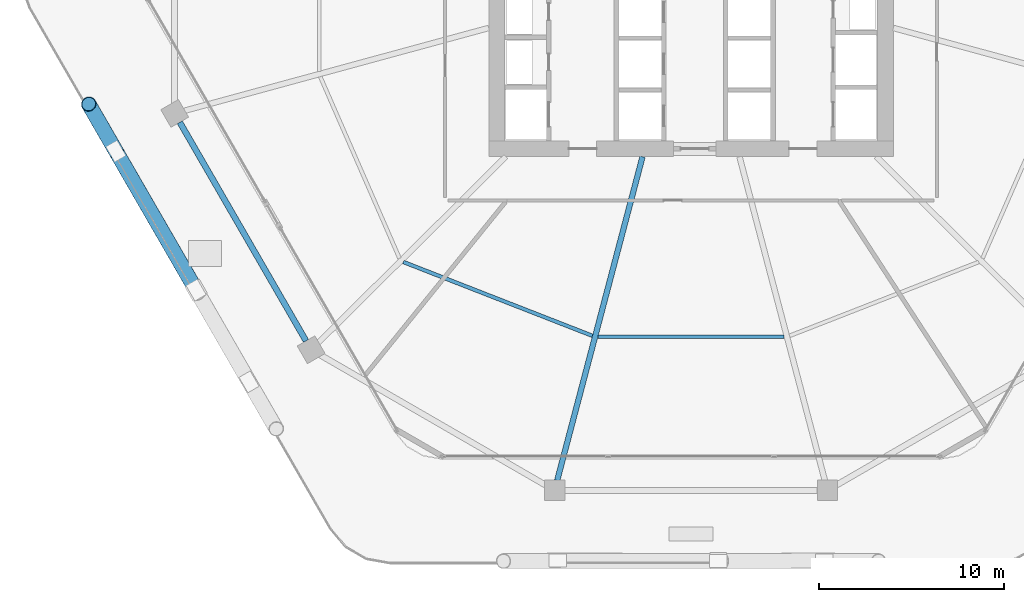
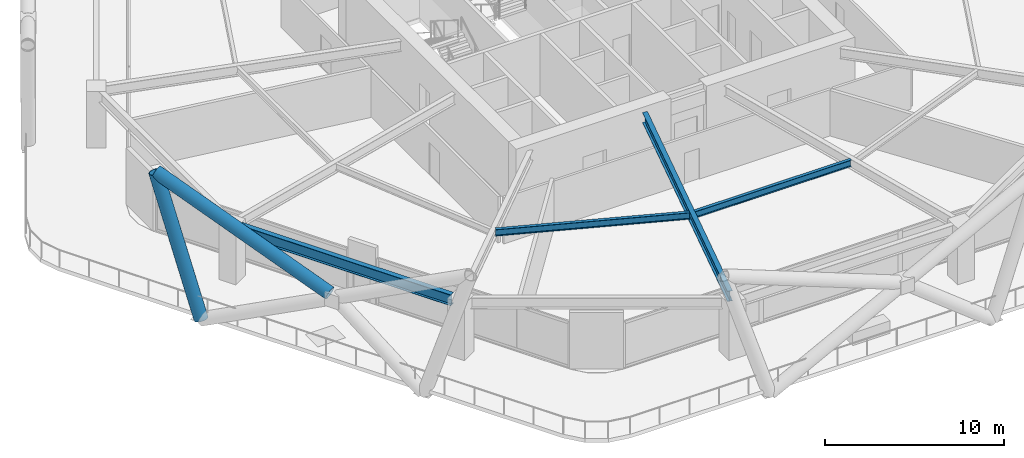
# One storey, part 5 of 28: 4 beams, 2 members.
"""IFC4 building model written with IfcOpenShell, lengths in metres."""

import ifcopenshell
import ifcopenshell.guid

model = None  # the IFC model being written
_history = None  # IfcOwnerHistory: only IFC2X3 demands one
_inside = {}  # id of a spatial element -> (the spatial element, [elements in it])
_under = {}  # id of a project, library or spatial element -> (it, [spatial elements below it])
_declared = {}  # id of a project -> (the project, [libraries it declares])
_typed = {}  # id of a type object -> (the type object, [elements of that type])
_made_of = {}  # id of a material, layer set ... -> (it, [elements and type objects made of it])


def new_model(schema):
    """Start an empty IFC model of exactly this schema.

    Asked for "IFC4X3", IfcOpenShell would pick the latest addendum, in which some entities
    have other attributes; the version numbers below select the first issue.
    IFC2X3 requires an IfcOwnerHistory on every rooted entity: one is made here for all.
    """
    global model, _history
    if schema == "IFC4X3":
        model = ifcopenshell.file(schema_version=(4, 3, 0, 0))
    else:
        model = ifcopenshell.file(schema=schema)
    _inside.clear()
    _under.clear()
    _declared.clear()
    _typed.clear()
    _made_of.clear()
    _history = None
    if model.schema == "IFC2X3":
        org = make("IfcOrganization", Name="unknown")
        user = make(
            "IfcPersonAndOrganization",
            ThePerson=make("IfcPerson", FamilyName="unknown"),
            TheOrganization=org,
        )
        app = make(
            "IfcApplication",
            ApplicationDeveloper=org,
            Version="unknown",
            ApplicationFullName="unknown",
            ApplicationIdentifier="unknown",
        )
        _history = make(
            "IfcOwnerHistory",
            OwningUser=user,
            OwningApplication=app,
            ChangeAction="ADDED",
            CreationDate=0,
        )
    return model


def make(cls, **values):
    """One entity of the class cls with the attributes given. An attribute that is None is left unset."""
    return model.create_entity(
        cls, **{name: value for name, value in values.items() if value is not None}
    )


def rooted(cls, **values):
    """An entity with a GlobalId (a new one), such as an element, a storey or a relation."""
    return make(cls, GlobalId=ifcopenshell.guid.new(), OwnerHistory=_history, **values)


def si_unit(unit_type, name, prefix=None):
    """IfcSIUnit, for example si_unit("LENGTHUNIT", "METRE", prefix="MILLI")."""
    return make("IfcSIUnit", UnitType=unit_type, Prefix=prefix, Name=name)


def assignment(units):
    """IfcUnitAssignment: the units of a project."""
    return None if units is None else make("IfcUnitAssignment", Units=units)


def point(xyz):
    """IfcCartesianPoint."""
    return None if xyz is None else make("IfcCartesianPoint", Coordinates=xyz)


def direction(xyz):
    """IfcDirection."""
    return None if xyz is None else make("IfcDirection", DirectionRatios=xyz)


def frame(location, z_axis=None, x_axis=None):
    """IfcAxis2Placement3D, a coordinate frame: its origin and axes. An axis left out is left unset."""
    return make(
        "IfcAxis2Placement3D",
        Location=point(location),
        Axis=direction(z_axis),
        RefDirection=direction(x_axis),
    )


def frame_2d(location, x_axis=None):
    """IfcAxis2Placement2D, a coordinate frame in the plane: its origin and x axis."""
    return make(
        "IfcAxis2Placement2D", Location=point(location), RefDirection=direction(x_axis)
    )


def origin():
    """The frame at (0, 0, 0) with its axes left unset."""
    return frame((0.0, 0.0, 0.0))


def origin_2d():
    """The frame at (0, 0) in the plane with its x axis left unset."""
    return frame_2d((0.0, 0.0))


def place(relative_to, where):
    """IfcLocalPlacement: puts the frame where relative to a parent placement (None: the world)."""
    return make(
        "IfcLocalPlacement", PlacementRelTo=relative_to, RelativePlacement=where
    )


def context(
    kind, dimensions, precision=None, world=None, true_north=None, identifier=None
):
    """IfcGeometricRepresentationContext, for example the 3D "Model" context."""
    return make(
        "IfcGeometricRepresentationContext",
        ContextIdentifier=identifier,
        ContextType=kind,
        CoordinateSpaceDimension=dimensions,
        Precision=precision,
        WorldCoordinateSystem=world,
        TrueNorth=true_north,
    )


def subcontext(parent, identifier, kind, view, scale=None):
    """IfcGeometricRepresentationSubContext, for example "Body" below "Model"."""
    return make(
        "IfcGeometricRepresentationSubContext",
        ContextIdentifier=identifier,
        ContextType=kind,
        ParentContext=parent,
        TargetScale=scale,
        TargetView=view,
    )


def project(units=None, contexts=None):
    """IfcProject with its units and contexts."""
    return rooted(
        "IfcProject",
        Name="project",
        RepresentationContexts=contexts,
        UnitsInContext=assignment(units),
    )


def spatial(cls, under=None, at=None, **own):
    """A site, building, storey or space (cls), placed at a placement, below another one or the project."""
    s = rooted(cls, ObjectPlacement=at, **own)
    if under is not None:
        _under.setdefault(under.id(), (under, []))[1].append(s)
    return s


def profile(cls, at=None, kind="AREA", **sizes):
    """A parametric profile (cls). Its sizes go by their IFC names, for example OverallWidth=200.0."""
    return make(cls, ProfileType=kind, Position=at, **sizes)


def hollow_circle(**sizes):
    """IfcCircleHollowProfileDef."""
    return profile("IfcCircleHollowProfileDef", **sizes)


def i_section(**sizes):
    """IfcIShapeProfileDef."""
    return profile("IfcIShapeProfileDef", **sizes)


def extrude(swept, where, along, depth):
    """IfcExtrudedAreaSolid: the profile swept, set in the frame where, extruded along a direction by depth."""
    return make(
        "IfcExtrudedAreaSolid",
        SweptArea=swept,
        Position=where,
        ExtrudedDirection=direction(along),
        Depth=depth,
    )


def shape(context_of_items, identifier, shape_type, items):
    """IfcShapeRepresentation: the items that make up one representation, for example the "Body"."""
    return make(
        "IfcShapeRepresentation",
        ContextOfItems=context_of_items,
        RepresentationIdentifier=identifier,
        RepresentationType=shape_type,
        Items=items,
    )


def material(Name=None, Category=None):
    """IfcMaterial."""
    return make("IfcMaterial", Name=Name, Category=Category)


def material_profile(
    of_material, cross_section, Name=None, Category=None, Priority=None
):
    """IfcMaterialProfile: a cross section and its material."""
    return make(
        "IfcMaterialProfile",
        Name=Name,
        Material=of_material,
        Profile=cross_section,
        Priority=Priority,
        Category=Category,
    )


def profile_set(profiles, Name=None, composite=None):
    """IfcMaterialProfileSet."""
    return make(
        "IfcMaterialProfileSet",
        Name=Name,
        MaterialProfiles=profiles,
        CompositeProfile=composite,
    )


def made_of(thing, what):
    """Note that an element or type object is made of a material, layer set ...; save() writes the relation."""
    if what is not None:
        _made_of.setdefault(what.id(), (what, []))[1].append(thing)
    return thing


def type_object(cls, material=None, **own):
    """A type object (cls), such as IfcWallType, which elements share."""
    return made_of(rooted(cls, **own), material)


def element(
    cls,
    number,
    at=None,
    inside=None,
    cuts=None,
    type_object=None,
    material=None,
    context=None,
    identifier="Body",
    shape_type=None,
    held_by="IfcProductDefinitionShape",
    body=None,
    shapes=None,
    **own,
):
    """One element of the class cls, such as IfcWall. Its Tag is "e" and its number.

    at: its placement. inside: the storey or other place that contains it. cuts: it is an
    opening in that element (IfcRelVoidsElement). A single representation is given by context,
    identifier, shape_type and body (its items); several are given by shapes. held_by: the class
    of the entity that holds the representations. save() writes the other relations.
    """
    e = rooted(cls, Tag="e%d" % number, ObjectPlacement=at, **own)
    if body is not None:
        shapes = [shape(context, identifier, shape_type, body)]
    if shapes is not None:
        e.Representation = make(held_by, Representations=shapes)
    if inside is not None:
        _inside.setdefault(inside.id(), (inside, []))[1].append(e)
    if cuts is not None:
        rooted(
            "IfcRelVoidsElement", RelatingBuildingElement=cuts, RelatedOpeningElement=e
        )
    if type_object is not None:
        _typed.setdefault(type_object.id(), (type_object, []))[1].append(e)
    return made_of(e, material)


def aggregate(whole, parts):
    """IfcRelAggregates: a whole, such as a stair, and the parts it consists of."""
    return rooted("IfcRelAggregates", RelatingObject=whole, RelatedObjects=parts)


def save(model, path):
    """Write the relations noted so far, then the file.

    IfcRelAggregates (storeys below a building ...), IfcRelContainedInSpatialStructure (elements
    in a storey), IfcRelDefinesByType, IfcRelAssociatesMaterial and IfcRelDeclares: one each for
    every whole, place, type object, material and project.
    """
    for whole, parts in _under.values():
        aggregate(whole, parts)
    for where, things in _inside.values():
        rooted(
            "IfcRelContainedInSpatialStructure",
            RelatedElements=things,
            RelatingStructure=where,
        )
    for kind, things in _typed.values():
        rooted("IfcRelDefinesByType", RelatedObjects=things, RelatingType=kind)
    for what, things in _made_of.values():
        rooted("IfcRelAssociatesMaterial", RelatedObjects=things, RelatingMaterial=what)
    for by, libraries in _declared.values():
        rooted("IfcRelDeclares", RelatingContext=by, RelatedDefinitions=libraries)
    model.write(path)


model = new_model("IFC4")

# Units and contexts
model_context = context("Model", 3, precision=1e-05, world=origin(), true_north=direction((0.0, 1.0)))
body_context = subcontext(model_context, "Body", "Model", "MODEL_VIEW")
ifc_project = project(units=[si_unit("LENGTHUNIT", "METRE"), si_unit("AREAUNIT", "SQUARE_METRE"), si_unit("VOLUMEUNIT", "CUBIC_METRE"), si_unit("PLANEANGLEUNIT", "RADIAN"), si_unit("MASSUNIT", "GRAM", prefix="KILO")], contexts=[model_context])

# Site, building, storey
site_placement = place(None, origin())
site = spatial("IfcSite", under=ifc_project, at=site_placement, CompositionType="ELEMENT")
building_placement = place(site_placement, origin())
building = spatial("IfcBuilding", under=site, at=building_placement, Name="Zuhravey Tower", CompositionType="ELEMENT")
storey_placement = place(building_placement, frame((0.0, 0.0, 83.39990234375)))
storey = spatial("IfcBuildingStorey", under=building, at=storey_placement, Name="L20", CompositionType="ELEMENT", Elevation=83.39990234375)

# Members
ifc_material_1 = material(Name="Steel SM460", Category="steel")
ifc_material_profile_1 = material_profile(ifc_material_1, hollow_circle(Radius=0.406494140625, WallThickness=0.035888671875, at=origin_2d()), Name="CHS-812.8x36")
ifc_profile_set_1 = profile_set([ifc_material_profile_1], Name="Steel SM460")
member_type = type_object("IfcMemberType", Name="Exoskeleton Zone 1 Diagrid CHS813x36", PredefinedType="BRACE", material=ifc_profile_set_1)
member_1_placement = place(storey_placement, frame((4.930419921875, 22.376953125, -0.471923828125), z_axis=(-0.154911570168, 0.268363565529, 0.950780417407), x_axis=(-0.866064817651, -0.499931726966, 0.0)))
element("IfcMember", 1, at=member_1_placement, inside=storey, type_object=member_type, Name="L20 Face 4 Diagrid Brace 1", PredefinedType="BRACE", context=body_context, shape_type="SweptSolid", body=[
    extrude(hollow_circle(Radius=0.406494140625, WallThickness=0.035888671875, at=origin_2d()), origin(), (0.0, 0.0, 1.0), 9.451171875),
])
member_2_placement = place(storey_placement, frame((9.08203125, 15.1865234375, 4.164794921875), z_axis=(-0.465993155962, 0.807123886857, 0.362493323886), x_axis=(-0.866025421154, -0.499999969915, 0.0)))
element("IfcMember", 2, at=member_2_placement, inside=storey, type_object=member_type, Name="L20 Face 4 Split Diagrid Brace 3B", PredefinedType="BRACE", context=body_context, shape_type="SweptSolid", body=[
    extrude(hollow_circle(Radius=0.406494140625, WallThickness=0.035888671875, at=origin_2d()), origin(), (0.0, 0.0, 1.0), 12.01123046875),
])

# Beams
ifc_material_2 = material(Name="Steel SM355", Category="steel")
ifc_material_profile_2 = material_profile(ifc_material_2, i_section(OverallWidth=0.320068359375, OverallDepth=0.75, WebThickness=0.013916015625, FlangeThickness=0.02490234375, at=origin_2d()), Name="H-750x320x14x25")
ifc_profile_set_2 = profile_set([ifc_material_profile_2], Name="Steel SM355")
beam_type_1 = type_object("IfcBeamType", Name="Perimeter Ring Beam H750x320", PredefinedType="BEAM", material=ifc_profile_set_2)
beam_1_placement = place(storey_placement, frame((8.387451171875, 23.929443359375, 3.47509765625), z_axis=(0.500008177929, -0.866020682204, 0.0), x_axis=(0.866020682204, 0.500008177929, 0.0)))
element("IfcBeam", 3, at=beam_1_placement, inside=storey, type_object=beam_type_1, Name="L20 PB1 BM-L20-PB-07", PredefinedType="BEAM", context=body_context, shape_type="SweptSolid", body=[
    extrude(i_section(OverallWidth=0.320068359375, OverallDepth=0.75, WebThickness=0.013916015625, FlangeThickness=0.02490234375, at=origin_2d()), origin(), (0.0, 0.0, 1.0), 13.634033203125),
])
ifc_material_profile_3 = material_profile(ifc_material_2, i_section(OverallWidth=0.300048828125, OverallDepth=0.699951171875, WebThickness=0.012939453125, FlangeThickness=0.02392578125, at=origin_2d()), Name="H-700x300x13x24")
ifc_profile_set_3 = profile_set([ifc_material_profile_3], Name="Steel SM355")
beam_type_2 = type_object("IfcBeamType", Name="Radial Primary Girder H700x300", PredefinedType="BEAM", material=ifc_profile_set_3)
beam_2_placement = place(storey_placement, frame((33.382080078125, 22.072021484375, 3.5), z_axis=(-0.254987019627, -0.96694447608, 0.0), x_axis=(0.96694447608, -0.254987019627, 0.0)))
element("IfcBeam", 4, at=beam_2_placement, inside=storey, type_object=beam_type_2, Name="L20 RG1 BM-L20-RAD-09", PredefinedType="BEAM", context=body_context, shape_type="SweptSolid", body=[
    extrude(i_section(OverallWidth=0.300048828125, OverallDepth=0.699951171875, WebThickness=0.012939453125, FlangeThickness=0.02392578125, at=origin_2d()), origin(), (0.0, 0.0, 1.0), 18.08349609375),
])
ifc_material_profile_4 = material_profile(ifc_material_2, i_section(OverallWidth=0.199951171875, OverallDepth=0.449951171875, WebThickness=0.009033203125, FlangeThickness=0.013916015625, at=origin_2d()), Name="H-450x200x9x14")
ifc_profile_set_4 = profile_set([ifc_material_profile_4], Name="Steel SM355")
beam_type_3 = type_object("IfcBeamType", Name="Secondary Floor Joist H450x200", PredefinedType="JOIST", material=ifc_profile_set_4)
beam_3_placement = place(storey_placement, frame((20.4599609375, 16.38427734375, 3.625), z_axis=(0.931516535886, -0.363698973562, 0.0), x_axis=(0.363698973562, 0.931516535886, 0.0)))
element("IfcBeam", 5, at=beam_3_placement, inside=storey, type_object=beam_type_3, Name="L20 SJ1 BM-L20-SJ-08-1", PredefinedType="JOIST", context=body_context, shape_type="SweptSolid", body=[
    extrude(i_section(OverallWidth=0.199951171875, OverallDepth=0.449951171875, WebThickness=0.009033203125, FlangeThickness=0.013916015625, at=origin_2d()), origin(), (0.0, 0.0, 1.0), 10.963134765625),
])
beam_4_placement = place(storey_placement, frame((30.969970703125, 12.3408203125, 3.625), z_axis=(1.0, 0.0, 0.0), x_axis=(0.0, 1.0, 0.0)))
element("IfcBeam", 6, at=beam_4_placement, inside=storey, type_object=beam_type_3, Name="L20 SJ1 BM-L20-SJ-09-1", PredefinedType="JOIST", context=body_context, shape_type="SweptSolid", body=[
    extrude(i_section(OverallWidth=0.199951171875, OverallDepth=0.449951171875, WebThickness=0.009033203125, FlangeThickness=0.013916015625, at=origin_2d()), origin(), (0.0, 0.0, 1.0), 10.06005859375),
])

save(model, "model.ifc")
